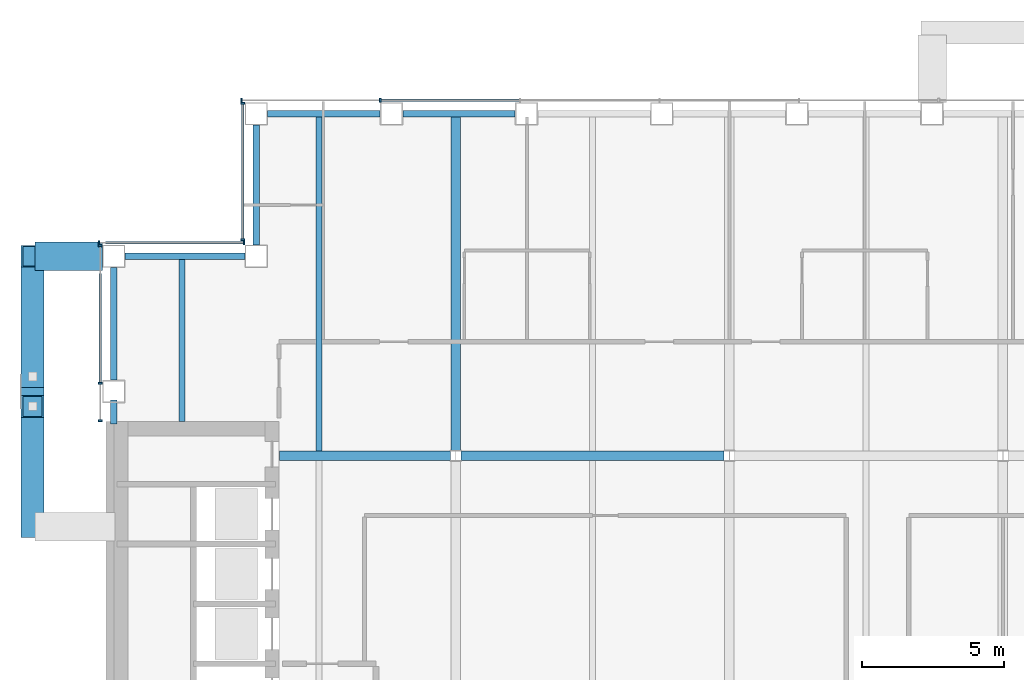
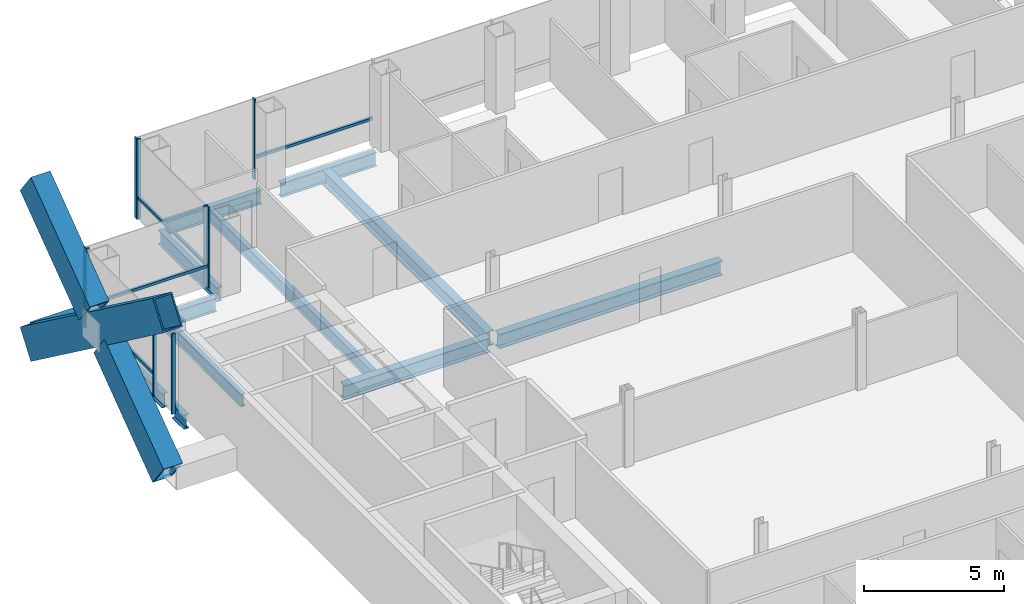
# One storey, part 6 of 14: 16 members, 12 beams, 4 elements without a shape of their own.
"""IFC4 building model written with IfcOpenShell, lengths in metres."""

import ifcopenshell
import ifcopenshell.guid

model = None  # the IFC model being written
_history = None  # IfcOwnerHistory: only IFC2X3 demands one
_inside = {}  # id of a spatial element -> (the spatial element, [elements in it])
_under = {}  # id of a project, library or spatial element -> (it, [spatial elements below it])
_declared = {}  # id of a project -> (the project, [libraries it declares])
_typed = {}  # id of a type object -> (the type object, [elements of that type])
_made_of = {}  # id of a material, layer set ... -> (it, [elements and type objects made of it])


def new_model(schema):
    """Start an empty IFC model of exactly this schema.

    Asked for "IFC4X3", IfcOpenShell would pick the latest addendum, in which some entities
    have other attributes; the version numbers below select the first issue.
    IFC2X3 requires an IfcOwnerHistory on every rooted entity: one is made here for all.
    """
    global model, _history
    if schema == "IFC4X3":
        model = ifcopenshell.file(schema_version=(4, 3, 0, 0))
    else:
        model = ifcopenshell.file(schema=schema)
    _inside.clear()
    _under.clear()
    _declared.clear()
    _typed.clear()
    _made_of.clear()
    _history = None
    if model.schema == "IFC2X3":
        org = make("IfcOrganization", Name="unknown")
        user = make(
            "IfcPersonAndOrganization",
            ThePerson=make("IfcPerson", FamilyName="unknown"),
            TheOrganization=org,
        )
        app = make(
            "IfcApplication",
            ApplicationDeveloper=org,
            Version="unknown",
            ApplicationFullName="unknown",
            ApplicationIdentifier="unknown",
        )
        _history = make(
            "IfcOwnerHistory",
            OwningUser=user,
            OwningApplication=app,
            ChangeAction="ADDED",
            CreationDate=0,
        )
    return model


def make(cls, **values):
    """One entity of the class cls with the attributes given. An attribute that is None is left unset."""
    return model.create_entity(
        cls, **{name: value for name, value in values.items() if value is not None}
    )


def rooted(cls, **values):
    """An entity with a GlobalId (a new one), such as an element, a storey or a relation."""
    return make(cls, GlobalId=ifcopenshell.guid.new(), OwnerHistory=_history, **values)


def si_unit(unit_type, name, prefix=None):
    """IfcSIUnit, for example si_unit("LENGTHUNIT", "METRE", prefix="MILLI")."""
    return make("IfcSIUnit", UnitType=unit_type, Prefix=prefix, Name=name)


def assignment(units):
    """IfcUnitAssignment: the units of a project."""
    return None if units is None else make("IfcUnitAssignment", Units=units)


def point(xyz):
    """IfcCartesianPoint."""
    return None if xyz is None else make("IfcCartesianPoint", Coordinates=xyz)


def direction(xyz):
    """IfcDirection."""
    return None if xyz is None else make("IfcDirection", DirectionRatios=xyz)


def frame(location, z_axis=None, x_axis=None):
    """IfcAxis2Placement3D, a coordinate frame: its origin and axes. An axis left out is left unset."""
    return make(
        "IfcAxis2Placement3D",
        Location=point(location),
        Axis=direction(z_axis),
        RefDirection=direction(x_axis),
    )


def frame_2d(location, x_axis=None):
    """IfcAxis2Placement2D, a coordinate frame in the plane: its origin and x axis."""
    return make(
        "IfcAxis2Placement2D", Location=point(location), RefDirection=direction(x_axis)
    )


def origin():
    """The frame at (0, 0, 0) with its axes left unset."""
    return frame((0.0, 0.0, 0.0))


def origin_2d():
    """The frame at (0, 0) in the plane with its x axis left unset."""
    return frame_2d((0.0, 0.0))


def place(relative_to, where):
    """IfcLocalPlacement: puts the frame where relative to a parent placement (None: the world)."""
    return make(
        "IfcLocalPlacement", PlacementRelTo=relative_to, RelativePlacement=where
    )


def context(
    kind, dimensions, precision=None, world=None, true_north=None, identifier=None
):
    """IfcGeometricRepresentationContext, for example the 3D "Model" context."""
    return make(
        "IfcGeometricRepresentationContext",
        ContextIdentifier=identifier,
        ContextType=kind,
        CoordinateSpaceDimension=dimensions,
        Precision=precision,
        WorldCoordinateSystem=world,
        TrueNorth=true_north,
    )


def subcontext(parent, identifier, kind, view, scale=None):
    """IfcGeometricRepresentationSubContext, for example "Body" below "Model"."""
    return make(
        "IfcGeometricRepresentationSubContext",
        ContextIdentifier=identifier,
        ContextType=kind,
        ParentContext=parent,
        TargetScale=scale,
        TargetView=view,
    )


def project(units=None, contexts=None):
    """IfcProject with its units and contexts."""
    return rooted(
        "IfcProject",
        Name="project",
        RepresentationContexts=contexts,
        UnitsInContext=assignment(units),
    )


def spatial(cls, under=None, at=None, **own):
    """A site, building, storey or space (cls), placed at a placement, below another one or the project."""
    s = rooted(cls, ObjectPlacement=at, **own)
    if under is not None:
        _under.setdefault(under.id(), (under, []))[1].append(s)
    return s


def profile(cls, at=None, kind="AREA", **sizes):
    """A parametric profile (cls). Its sizes go by their IFC names, for example OverallWidth=200.0."""
    return make(cls, ProfileType=kind, Position=at, **sizes)


def rectangle(**sizes):
    """IfcRectangleProfileDef."""
    return profile("IfcRectangleProfileDef", **sizes)


def hollow_rectangle(**sizes):
    """IfcRectangleHollowProfileDef."""
    return profile("IfcRectangleHollowProfileDef", **sizes)


def i_section(**sizes):
    """IfcIShapeProfileDef."""
    return profile("IfcIShapeProfileDef", **sizes)


def extrude(swept, where, along, depth):
    """IfcExtrudedAreaSolid: the profile swept, set in the frame where, extruded along a direction by depth."""
    return make(
        "IfcExtrudedAreaSolid",
        SweptArea=swept,
        Position=where,
        ExtrudedDirection=direction(along),
        Depth=depth,
    )


def shape(context_of_items, identifier, shape_type, items):
    """IfcShapeRepresentation: the items that make up one representation, for example the "Body"."""
    return make(
        "IfcShapeRepresentation",
        ContextOfItems=context_of_items,
        RepresentationIdentifier=identifier,
        RepresentationType=shape_type,
        Items=items,
    )


def material(Name=None, Category=None):
    """IfcMaterial."""
    return make("IfcMaterial", Name=Name, Category=Category)


def material_profile(
    of_material, cross_section, Name=None, Category=None, Priority=None
):
    """IfcMaterialProfile: a cross section and its material."""
    return make(
        "IfcMaterialProfile",
        Name=Name,
        Material=of_material,
        Profile=cross_section,
        Priority=Priority,
        Category=Category,
    )


def profile_set(profiles, Name=None, composite=None):
    """IfcMaterialProfileSet."""
    return make(
        "IfcMaterialProfileSet",
        Name=Name,
        MaterialProfiles=profiles,
        CompositeProfile=composite,
    )


def made_of(thing, what):
    """Note that an element or type object is made of a material, layer set ...; save() writes the relation."""
    if what is not None:
        _made_of.setdefault(what.id(), (what, []))[1].append(thing)
    return thing


def type_object(cls, material=None, **own):
    """A type object (cls), such as IfcWallType, which elements share."""
    return made_of(rooted(cls, **own), material)


def element(
    cls,
    number,
    at=None,
    inside=None,
    cuts=None,
    type_object=None,
    material=None,
    context=None,
    identifier="Body",
    shape_type=None,
    held_by="IfcProductDefinitionShape",
    body=None,
    shapes=None,
    **own,
):
    """One element of the class cls, such as IfcWall. Its Tag is "e" and its number.

    at: its placement. inside: the storey or other place that contains it. cuts: it is an
    opening in that element (IfcRelVoidsElement). A single representation is given by context,
    identifier, shape_type and body (its items); several are given by shapes. held_by: the class
    of the entity that holds the representations. save() writes the other relations.
    """
    e = rooted(cls, Tag="e%d" % number, ObjectPlacement=at, **own)
    if body is not None:
        shapes = [shape(context, identifier, shape_type, body)]
    if shapes is not None:
        e.Representation = make(held_by, Representations=shapes)
    if inside is not None:
        _inside.setdefault(inside.id(), (inside, []))[1].append(e)
    if cuts is not None:
        rooted(
            "IfcRelVoidsElement", RelatingBuildingElement=cuts, RelatedOpeningElement=e
        )
    if type_object is not None:
        _typed.setdefault(type_object.id(), (type_object, []))[1].append(e)
    return made_of(e, material)


def aggregate(whole, parts):
    """IfcRelAggregates: a whole, such as a stair, and the parts it consists of."""
    return rooted("IfcRelAggregates", RelatingObject=whole, RelatedObjects=parts)


def save(model, path):
    """Write the relations noted so far, then the file.

    IfcRelAggregates (storeys below a building ...), IfcRelContainedInSpatialStructure (elements
    in a storey), IfcRelDefinesByType, IfcRelAssociatesMaterial and IfcRelDeclares: one each for
    every whole, place, type object, material and project.
    """
    for whole, parts in _under.values():
        aggregate(whole, parts)
    for where, things in _inside.values():
        rooted(
            "IfcRelContainedInSpatialStructure",
            RelatedElements=things,
            RelatingStructure=where,
        )
    for kind, things in _typed.values():
        rooted("IfcRelDefinesByType", RelatedObjects=things, RelatingType=kind)
    for what, things in _made_of.values():
        rooted("IfcRelAssociatesMaterial", RelatedObjects=things, RelatingMaterial=what)
    for by, libraries in _declared.values():
        rooted("IfcRelDeclares", RelatingContext=by, RelatedDefinitions=libraries)
    model.write(path)


model = new_model("IFC4")

# Units and contexts
model_context = context("Model", 3, precision=1e-05, world=origin(), true_north=direction((0.0, 1.0)))
body_context = subcontext(model_context, "Body", "Model", "MODEL_VIEW")
ifc_project = project(units=[si_unit("LENGTHUNIT", "METRE"), si_unit("AREAUNIT", "SQUARE_METRE"), si_unit("VOLUMEUNIT", "CUBIC_METRE"), si_unit("PLANEANGLEUNIT", "RADIAN"), si_unit("MASSUNIT", "GRAM", prefix="KILO")], contexts=[model_context])

# Site, building, storey
site_placement = place(None, origin())
site = spatial("IfcSite", under=ifc_project, at=site_placement, CompositionType="ELEMENT")
building_placement = place(site_placement, origin())
building = spatial("IfcBuilding", under=site, at=building_placement, Name="Cobrizo Arcos Hotel Tower", CompositionType="ELEMENT")
storey_placement = place(building_placement, frame((0.0, 0.0, 179.5)))
storey = spatial("IfcBuildingStorey", under=building, at=storey_placement, Name="L46", CompositionType="ELEMENT", Elevation=179.5)

# Beam
ifc_material_1 = material(Name="Steel ASTM A572 Grade 50", Category="steel")
ifc_material_profile_1 = material_profile(ifc_material_1, hollow_rectangle(XDim=1.0, YDim=1.0, WallThickness=0.06005859375, at=origin_2d()), Name="BOX 1000X1000X60")
ifc_profile_set_1 = profile_set([ifc_material_profile_1], Name="Steel ASTM A572 Grade 50")
beam_type_1 = type_object("IfcBeamType", Name="BOX 1000X1000X60 brace connector strut", PredefinedType="BEAM", material=ifc_profile_set_1)
beam_1_placement = place(storey_placement, frame((-21.989990234375, 16.60009765625, 0.5), z_axis=(-1.0, 0.0, 0.0), x_axis=(0.0, -1.0, 0.0)))
element("IfcBeam", 1, at=beam_1_placement, inside=storey, type_object=beam_type_1, Name="Perimeter brace stub BS1, zone Z3, west face, offset +16.60 m, L46", PredefinedType="BEAM", context=body_context, shape_type="SweptSolid", body=[
    extrude(hollow_rectangle(XDim=1.0, YDim=1.0, WallThickness=0.06005859375, at=origin_2d()), origin(), (0.0, 0.0, 1.0), 2.380126953125),
])

# Members
ifc_material_profile_2 = material_profile(ifc_material_1, hollow_rectangle(XDim=0.800048828125, YDim=1.300048828125, WallThickness=0.06005859375, at=origin_2d()), Name="BOX 800X1300X60")
ifc_profile_set_2 = profile_set([ifc_material_profile_2], Name="Steel ASTM A572 Grade 50")
member_type_1 = type_object("IfcMemberType", Name="BOX 800X1300X60 perimeter brace", PredefinedType="BRACE", material=ifc_profile_set_2)
member_1_placement = place(storey_placement, frame((-24.449951171875, 16.60009765625, 0.5), z_axis=(0.0, -0.804632973186, 0.593772497225), x_axis=(1.0, 0.0, 0.0)))
element("IfcMember", 2, at=member_1_placement, inside=storey, type_object=member_type_1, Name="Perimeter brace PBR3, zone Z3, west face, no. 18", PredefinedType="BRACE", context=body_context, shape_type="SweptSolid", body=[
    extrude(hollow_rectangle(XDim=0.800048828125, YDim=1.300048828125, WallThickness=0.06005859375, at=origin_2d()), origin(), (0.0, 0.0, 1.0), 11.7890625),
])
for number, where, z_axis, x_axis, name in (
    (3, (-24.449951171875, 7.1142578125, 0.5), (0.0, 0.804623858684, 0.593784848271), (-1.0, 0.0, 0.0), "Perimeter brace PBR3, zone Z3, west face, no. 19"),
    (4, (-24.449951171875, 12.38037109375, 4.385986328125), (0.0, 0.804623858684, 0.593784848271), (-1.0, 0.0, 0.0), "Perimeter brace PBR3, zone Z3, west face, no. 19b"),
):
    element("IfcMember", number, at=place(storey_placement, frame(where, z_axis=z_axis, x_axis=x_axis)), inside=storey, type_object=member_type_1, Name=name, PredefinedType="BRACE", context=body_context, shape_type="SweptSolid", body=[
        extrude(hollow_rectangle(XDim=0.800048828125, YDim=1.300048828125, WallThickness=0.06005859375, at=origin_2d()), origin(), (0.0, 0.0, 1.0), 5.244384765625),
    ])

# Curtain wall, members
ifc_material_2 = material(Name="Aluminium 6063-T6 anodised bronze", Category="aluminium")
curtain_wall_type = type_object("IfcCurtainWallType", Name="CW-A guest facade", PredefinedType="NOTDEFINED", material=ifc_material_2)
curtain_wall_1_placement = place(storey_placement, origin())
curtain_wall_1 = element("IfcCurtainWall", 5, at=curtain_wall_1_placement, inside=storey, type_object=curtain_wall_type, Name="CW-A L46 N face", PredefinedType="NOTDEFINED")
ifc_material_profile_3 = material_profile(ifc_material_2, rectangle(XDim=0.14990234375, YDim=0.06005859375, at=origin_2d()), Name="CW-A mullion 150x60")
ifc_profile_set_3 = profile_set([ifc_material_profile_3], Name="Aluminium 6063-T6 anodised bronze")
member_type_2 = type_object("IfcMemberType", Name="CW-A mullion 150x60", PredefinedType="MULLION", material=ifc_profile_set_3)
member_2_placement = place(storey_placement, frame((-12.25, 22.074951171875, 0.0), z_axis=(0.0, 0.0, 1.0), x_axis=(0.0, 1.0, 0.0)))
member_2 = element("IfcMember", 6, at=member_2_placement, type_object=member_type_2, Name="CW-A mullion 7", PredefinedType="MULLION", context=body_context, shape_type="SweptSolid", body=[
    extrude(rectangle(XDim=0.14990234375, YDim=0.06005859375, at=origin_2d()), origin(), (0.0, 0.0, 1.0), 3.5),
])
member_3_placement = place(storey_placement, frame((-17.1201171875, 22.074951171875, 0.0), z_axis=(0.0, 0.0, 1.0), x_axis=(0.0, 1.0, 0.0)))
member_3 = element("IfcMember", 7, at=member_3_placement, type_object=member_type_2, Name="CW-A mullion 8", PredefinedType="MULLION", context=body_context, shape_type="SweptSolid", body=[
    extrude(rectangle(XDim=0.14990234375, YDim=0.06005859375, at=origin_2d()), origin(), (0.0, 0.0, 1.0), 3.5),
])

curtain_wall_2_placement = place(storey_placement, origin())
curtain_wall_2 = element("IfcCurtainWall", 8, at=curtain_wall_2_placement, inside=storey, type_object=curtain_wall_type, Name="CW-A L46 W face", PredefinedType="NOTDEFINED")
member_4_placement = place(storey_placement, frame((-17.074951171875, 21.969970703125, 0.0), z_axis=(0.0, 0.0, 1.0), x_axis=(-1.0, 0.0, 0.0)))
member_4 = element("IfcMember", 9, at=member_4_placement, type_object=member_type_2, Name="CW-A mullion 1", PredefinedType="MULLION", context=body_context, shape_type="SweptSolid", body=[
    extrude(rectangle(XDim=0.14990234375, YDim=0.06005859375, at=origin_2d()), origin(), (0.0, 0.0, 1.0), 3.5),
])
member_5_placement = place(storey_placement, frame((-17.074951171875, 17.179931640625, 0.0), z_axis=(0.0, 0.0, 1.0), x_axis=(-1.0, 0.0, 0.0)))
member_5 = element("IfcMember", 10, at=member_5_placement, type_object=member_type_2, Name="CW-A mullion 2", PredefinedType="MULLION", context=body_context, shape_type="SweptSolid", body=[
    extrude(rectangle(XDim=0.14990234375, YDim=0.06005859375, at=origin_2d()), origin(), (0.0, 0.0, 1.0), 3.5),
])

curtain_wall_3_placement = place(storey_placement, origin())
curtain_wall_3 = element("IfcCurtainWall", 11, at=curtain_wall_3_placement, inside=storey, type_object=curtain_wall_type, Name="CW-A L46 N face", PredefinedType="NOTDEFINED")
member_6_placement = place(storey_placement, frame((-17.030029296875, 17.074951171875, 0.0), z_axis=(0.0, 0.0, 1.0), x_axis=(0.0, 1.0, 0.0)))
member_6 = element("IfcMember", 12, at=member_6_placement, type_object=member_type_2, Name="CW-A mullion 1", PredefinedType="MULLION", context=body_context, shape_type="SweptSolid", body=[
    extrude(rectangle(XDim=0.14990234375, YDim=0.06005859375, at=origin_2d()), origin(), (0.0, 0.0, 1.0), 3.5),
])
member_7_placement = place(storey_placement, frame((-22.1201171875, 17.074951171875, 0.0), z_axis=(0.0, 0.0, 1.0), x_axis=(0.0, 1.0, 0.0)))
member_7 = element("IfcMember", 13, at=member_7_placement, type_object=member_type_2, Name="CW-A mullion 2", PredefinedType="MULLION", context=body_context, shape_type="SweptSolid", body=[
    extrude(rectangle(XDim=0.14990234375, YDim=0.06005859375, at=origin_2d()), origin(), (0.0, 0.0, 1.0), 3.5),
])

curtain_wall_4_placement = place(storey_placement, origin())
curtain_wall_4 = element("IfcCurtainWall", 14, at=curtain_wall_4_placement, inside=storey, type_object=curtain_wall_type, Name="CW-A L46 W face", PredefinedType="NOTDEFINED")
member_8_placement = place(storey_placement, frame((-22.074951171875, 16.969970703125, 0.0), z_axis=(0.0, 0.0, 1.0), x_axis=(-1.0, 0.0, 0.0)))
member_8 = element("IfcMember", 15, at=member_8_placement, type_object=member_type_2, Name="CW-A mullion 1", PredefinedType="MULLION", context=body_context, shape_type="SweptSolid", body=[
    extrude(rectangle(XDim=0.14990234375, YDim=0.06005859375, at=origin_2d()), origin(), (0.0, 0.0, 1.0), 3.5),
])
member_9_placement = place(storey_placement, frame((-22.074951171875, 12.142822265625, 0.0), z_axis=(0.0, 0.0, 1.0), x_axis=(-1.0, 0.0, 0.0)))
member_9 = element("IfcMember", 16, at=member_9_placement, type_object=member_type_2, Name="CW-A mullion 2", PredefinedType="MULLION", context=body_context, shape_type="SweptSolid", body=[
    extrude(rectangle(XDim=0.14990234375, YDim=0.06005859375, at=origin_2d()), origin(), (0.0, 0.0, 1.0), 3.5),
])
member_10_placement = place(storey_placement, frame((-22.074951171875, 10.830078125, 0.0), z_axis=(0.0, 0.0, 1.0), x_axis=(-1.0, 0.0, 0.0)))
member_10 = element("IfcMember", 17, at=member_10_placement, type_object=member_type_2, Name="CW-A mullion 3", PredefinedType="MULLION", context=body_context, shape_type="SweptSolid", body=[
    extrude(rectangle(XDim=0.14990234375, YDim=0.06005859375, at=origin_2d()), origin(), (0.0, 0.0, 1.0), 3.5),
])

# Member
ifc_material_profile_4 = material_profile(ifc_material_2, rectangle(XDim=0.10009765625, YDim=0.1201171875, at=origin_2d()), Name="CW-A transom 120x100")
ifc_profile_set_4 = profile_set([ifc_material_profile_4], Name="Aluminium 6063-T6 anodised bronze")
member_type_3 = type_object("IfcMemberType", Name="CW-A transom 120x100", PredefinedType="USERDEFINED", material=ifc_profile_set_4)
member_11_placement = place(storey_placement, frame((-7.3798828125, 22.074951171875, 0.929931640625), z_axis=(-1.0, 0.0, 0.0), x_axis=(0.0, -1.0, 0.0)))
member_11 = element("IfcMember", 18, at=member_11_placement, type_object=member_type_3, Name="CW-A transom 1626", ObjectType="TRANSOM", PredefinedType="USERDEFINED", context=body_context, shape_type="SweptSolid", body=[
    extrude(rectangle(XDim=0.10009765625, YDim=0.1201171875, at=origin_2d()), origin(), (0.0, 0.0, 1.0), 4.840087890625),
])

aggregate(curtain_wall_1, [member_2, member_3, member_11])

member_12_placement = place(storey_placement, frame((-17.074951171875, 21.93994140625, 0.929931640625), z_axis=(0.0, -1.0, 0.0), x_axis=(1.0, 0.0, 0.0)))
member_12 = element("IfcMember", 19, at=member_12_placement, type_object=member_type_3, Name="CW-A transom 1628", ObjectType="TRANSOM", PredefinedType="USERDEFINED", context=body_context, shape_type="SweptSolid", body=[
    extrude(rectangle(XDim=0.10009765625, YDim=0.1201171875, at=origin_2d()), origin(), (0.0, 0.0, 1.0), 4.72998046875),
])

aggregate(curtain_wall_2, [member_4, member_5, member_12])

member_13_placement = place(storey_placement, frame((-17.06005859375, 17.074951171875, 0.929931640625), z_axis=(-1.0, 0.0, 0.0), x_axis=(0.0, -1.0, 0.0)))
member_13 = element("IfcMember", 20, at=member_13_placement, type_object=member_type_3, Name="CW-A transom 1629", ObjectType="TRANSOM", PredefinedType="USERDEFINED", context=body_context, shape_type="SweptSolid", body=[
    extrude(rectangle(XDim=0.10009765625, YDim=0.1201171875, at=origin_2d()), origin(), (0.0, 0.0, 1.0), 4.829833984375),
])

aggregate(curtain_wall_3, [member_6, member_7, member_13])

member_14_placement = place(storey_placement, frame((-22.074951171875, 16.0, 0.929931640625), z_axis=(0.0, -1.0, 0.0), x_axis=(1.0, 0.0, 0.0)))
member_14 = element("IfcMember", 21, at=member_14_placement, type_object=member_type_3, Name="CW-A transom 1630", ObjectType="TRANSOM", PredefinedType="USERDEFINED", context=body_context, shape_type="SweptSolid", body=[
    extrude(rectangle(XDim=0.10009765625, YDim=0.1201171875, at=origin_2d()), origin(), (0.0, 0.0, 1.0), 3.8271484375),
])

aggregate(curtain_wall_4, [member_8, member_9, member_10, member_14])

# Beams
ifc_material_3 = material(Name="Steel ASTM A992 Grade 50", Category="steel")
ifc_material_profile_5 = material_profile(ifc_material_3, i_section(OverallWidth=0.209228515625, OverallDepth=0.533447265625, WebThickness=0.01025390625, FlangeThickness=0.015625, at=origin_2d()), Name="W21X62")
ifc_profile_set_5 = profile_set([ifc_material_profile_5], Name="Steel ASTM A992 Grade 50")
beam_type_2 = type_object("IfcBeamType", Name="W21X62 joist", PredefinedType="JOIST", material=ifc_profile_set_5)
beam_2_placement = place(storey_placement, frame((-19.199951171875, 10.81005859375, -0.416748046875), z_axis=(0.0, 1.0, 0.0), x_axis=(-1.0, 0.0, 0.0)))
element("IfcBeam", 22, at=beam_2_placement, inside=storey, type_object=beam_type_2, Name="Floor joist J1, L46, no. 002", PredefinedType="JOIST", context=body_context, shape_type="SweptSolid", body=[
    extrude(i_section(OverallWidth=0.209228515625, OverallDepth=0.533447265625, WebThickness=0.01025390625, FlangeThickness=0.015625, at=origin_2d()), origin(), (0.0, 0.0, 1.0), 5.699951171875),
])
beam_3_placement = place(storey_placement, frame((-14.39990234375, 9.763916015625, -0.416748046875), z_axis=(0.0, 1.0, 0.0), x_axis=(-1.0, 0.0, 0.0)))
element("IfcBeam", 23, at=beam_3_placement, inside=storey, type_object=beam_type_2, Name="Floor joist J1, L46, no. 006", PredefinedType="JOIST", context=body_context, shape_type="SweptSolid", body=[
    extrude(i_section(OverallWidth=0.209228515625, OverallDepth=0.533447265625, WebThickness=0.01025390625, FlangeThickness=0.015625, at=origin_2d()), origin(), (0.0, 0.0, 1.0), 11.74609375),
])
ifc_material_profile_6 = material_profile(ifc_material_3, i_section(OverallWidth=0.32763671875, OverallDepth=0.622314453125, WebThickness=0.015380859375, FlangeThickness=0.0244140625, at=origin_2d()), Name="W24X131")
ifc_profile_set_6 = profile_set([ifc_material_profile_6], Name="Steel ASTM A992 Grade 50")
beam_type_3 = type_object("IfcBeamType", Name="W24X131 girder", PredefinedType="BEAM", material=ifc_profile_set_6)
beam_4_placement = place(storey_placement, frame((-15.7900390625, 9.60009765625, -0.461181640625), z_axis=(1.0, 0.0, 0.0), x_axis=(0.0, 1.0, 0.0)))
element("IfcBeam", 24, at=beam_4_placement, inside=storey, type_object=beam_type_3, Name="Floor girder G1, L46, no. 009", PredefinedType="BEAM", context=body_context, shape_type="SweptSolid", body=[
    extrude(i_section(OverallWidth=0.32763671875, OverallDepth=0.622314453125, WebThickness=0.015380859375, FlangeThickness=0.0244140625, at=origin_2d()), origin(), (0.0, 0.0, 1.0), 6.00341796875),
])
beam_5_placement = place(storey_placement, frame((-9.413330078125, 9.60009765625, -0.461181640625), z_axis=(1.0, 0.0, 0.0), x_axis=(0.0, 1.0, 0.0)))
element("IfcBeam", 25, at=beam_5_placement, inside=storey, type_object=beam_type_3, Name="Floor girder G1, L46, no. 010", PredefinedType="BEAM", context=body_context, shape_type="SweptSolid", body=[
    extrude(i_section(OverallWidth=0.32763671875, OverallDepth=0.622314453125, WebThickness=0.015380859375, FlangeThickness=0.0244140625, at=origin_2d()), origin(), (0.0, 0.0, 1.0), 9.2265625),
])
beam_6_placement = place(storey_placement, frame((-9.60009765625, 9.78662109375, -0.461181640625), z_axis=(0.0, 1.0, 0.0), x_axis=(-1.0, 0.0, 0.0)))
element("IfcBeam", 26, at=beam_6_placement, inside=storey, type_object=beam_type_3, Name="Floor girder G1, L46, no. 016", PredefinedType="BEAM", context=body_context, shape_type="SweptSolid", body=[
    extrude(i_section(OverallWidth=0.32763671875, OverallDepth=0.622314453125, WebThickness=0.015380859375, FlangeThickness=0.0244140625, at=origin_2d()), origin(), (0.0, 0.0, 1.0), 11.723388671875),
])
ifc_material_profile_7 = material_profile(ifc_material_3, i_section(OverallWidth=0.228271484375, OverallDepth=0.607177734375, WebThickness=0.01123046875, FlangeThickness=0.017333984375, at=origin_2d()), Name="W24X76")
ifc_profile_set_7 = profile_set([ifc_material_profile_7], Name="Steel ASTM A992 Grade 50")
beam_type_4 = type_object("IfcBeamType", Name="W24X76 spandrel", PredefinedType="SPANDREL", material=ifc_profile_set_7)
beam_7_placement = place(storey_placement, frame((-7.513916015625, 21.60009765625, -0.45361328125), z_axis=(-1.0, 0.0, 0.0), x_axis=(0.0, -1.0, 0.0)))
element("IfcBeam", 27, at=beam_7_placement, inside=storey, type_object=beam_type_4, Name="Spandrel beam W24X76, L46, no. 021", PredefinedType="SPANDREL", context=body_context, shape_type="SweptSolid", body=[
    extrude(i_section(OverallWidth=0.228271484375, OverallDepth=0.607177734375, WebThickness=0.01123046875, FlangeThickness=0.017333984375, at=origin_2d()), origin(), (0.0, 0.0, 1.0), 3.943115234375),
])
beam_8_placement = place(storey_placement, frame((-12.257080078125, 21.60009765625, -0.45361328125), z_axis=(-1.0, 0.0, 0.0), x_axis=(0.0, -1.0, 0.0)))
element("IfcBeam", 28, at=beam_8_placement, inside=storey, type_object=beam_type_4, Name="Spandrel beam W24X76, L46, no. 022", PredefinedType="SPANDREL", context=body_context, shape_type="SweptSolid", body=[
    extrude(i_section(OverallWidth=0.228271484375, OverallDepth=0.607177734375, WebThickness=0.01123046875, FlangeThickness=0.017333984375, at=origin_2d()), origin(), (0.0, 0.0, 1.0), 3.94287109375),
])
for number, where, z_axis, x_axis, name in (
    (29, (-16.60009765625, 21.199951171875, -0.45361328125), (0.0, -1.0, 0.0), (1.0, 0.0, 0.0), "Spandrel beam W24X76, L46, no. 023"),
    (30, (-17.0, 16.60009765625, -0.45361328125), (-1.0, 0.0, 0.0), (0.0, -1.0, 0.0), "Spandrel beam W24X76, L46, no. 024"),
):
    element("IfcBeam", number, at=place(storey_placement, frame(where, z_axis=z_axis, x_axis=x_axis)), inside=storey, type_object=beam_type_4, Name=name, PredefinedType="SPANDREL", context=body_context, shape_type="SweptSolid", body=[
        extrude(i_section(OverallWidth=0.228271484375, OverallDepth=0.607177734375, WebThickness=0.01123046875, FlangeThickness=0.017333984375, at=origin_2d()), origin(), (0.0, 0.0, 1.0), 4.199951171875),
    ])
beam_9_placement = place(storey_placement, frame((-21.60009765625, 16.199951171875, -0.45361328125), z_axis=(0.0, -1.0, 0.0), x_axis=(1.0, 0.0, 0.0)))
element("IfcBeam", 31, at=beam_9_placement, inside=storey, type_object=beam_type_4, Name="Spandrel beam W24X76, L46, no. 025", PredefinedType="SPANDREL", context=body_context, shape_type="SweptSolid", body=[
    extrude(i_section(OverallWidth=0.228271484375, OverallDepth=0.607177734375, WebThickness=0.01123046875, FlangeThickness=0.017333984375, at=origin_2d()), origin(), (0.0, 0.0, 1.0), 3.94287109375),
])
beam_10_placement = place(storey_placement, frame((-21.60009765625, 11.556884765625, -0.45361328125), z_axis=(0.0, -1.0, 0.0), x_axis=(1.0, 0.0, 0.0)))
element("IfcBeam", 32, at=beam_10_placement, inside=storey, type_object=beam_type_4, Name="Spandrel beam W24X76, L46, no. 026", PredefinedType="SPANDREL", context=body_context, shape_type="SweptSolid", body=[
    extrude(i_section(OverallWidth=0.228271484375, OverallDepth=0.607177734375, WebThickness=0.01123046875, FlangeThickness=0.017333984375, at=origin_2d()), origin(), (0.0, 0.0, 1.0), 0.846923828125),
])

save(model, "model.ifc")
